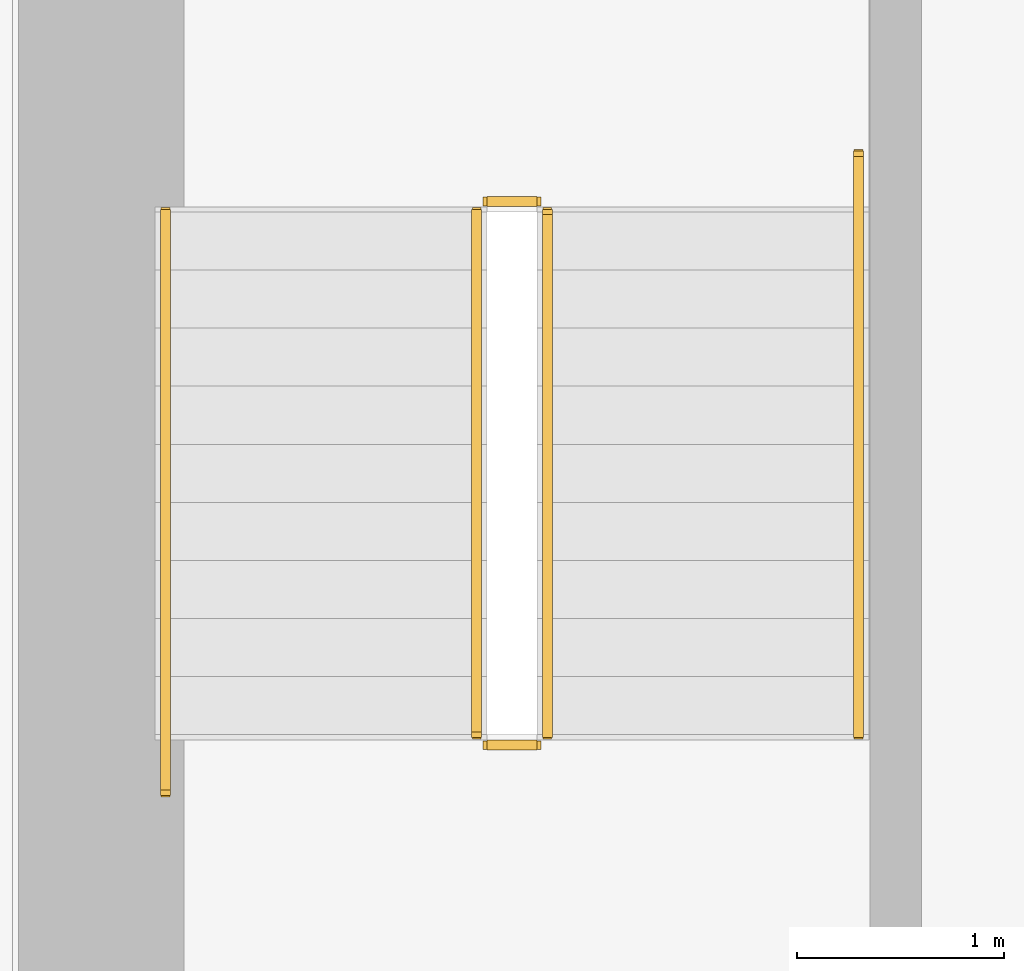
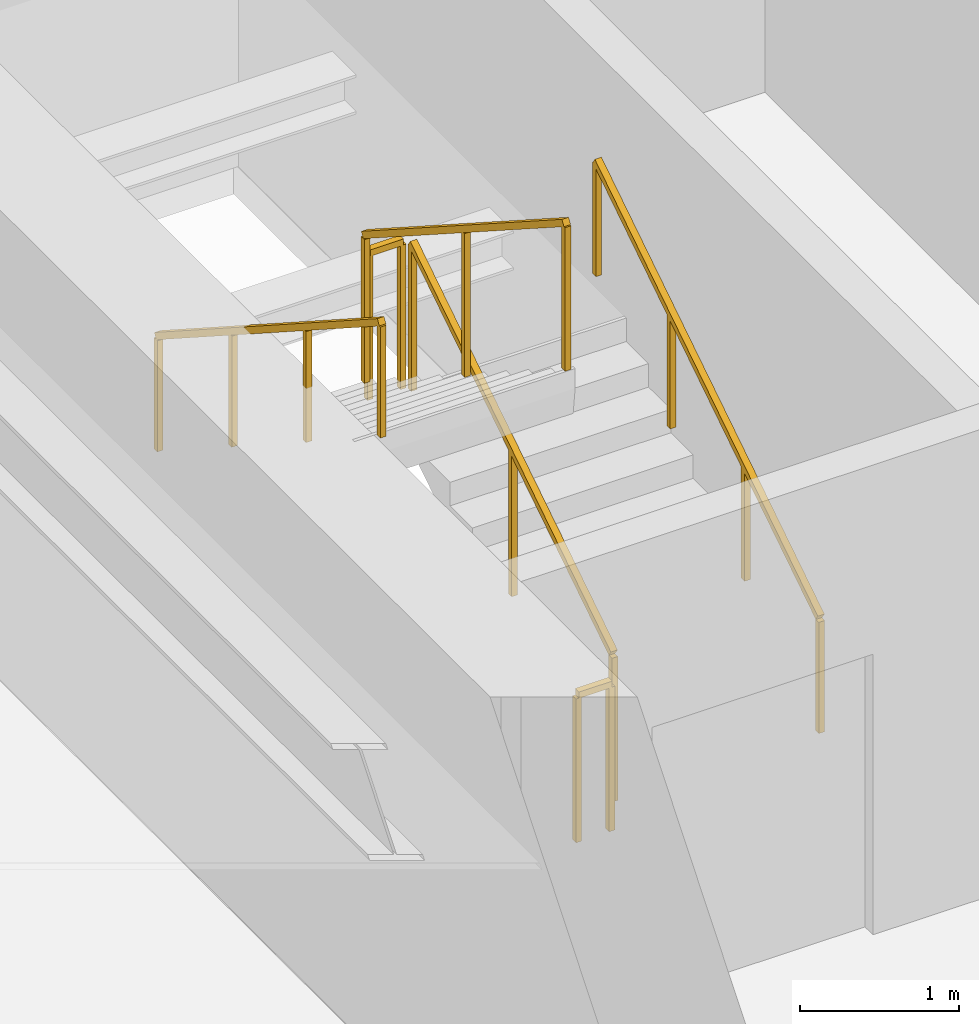
# One storey, part 30 of 33: 6 railings.
"""IFC4 building model written with IfcOpenShell, lengths in metres."""

import ifcopenshell
import ifcopenshell.guid

model = None  # the IFC model being written
_history = None  # IfcOwnerHistory: only IFC2X3 demands one
_inside = {}  # id of a spatial element -> (the spatial element, [elements in it])
_under = {}  # id of a project, library or spatial element -> (it, [spatial elements below it])
_declared = {}  # id of a project -> (the project, [libraries it declares])
_typed = {}  # id of a type object -> (the type object, [elements of that type])
_made_of = {}  # id of a material, layer set ... -> (it, [elements and type objects made of it])


def new_model(schema):
    """Start an empty IFC model of exactly this schema.

    Asked for "IFC4X3", IfcOpenShell would pick the latest addendum, in which some entities
    have other attributes; the version numbers below select the first issue.
    IFC2X3 requires an IfcOwnerHistory on every rooted entity: one is made here for all.
    """
    global model, _history
    if schema == "IFC4X3":
        model = ifcopenshell.file(schema_version=(4, 3, 0, 0))
    else:
        model = ifcopenshell.file(schema=schema)
    _inside.clear()
    _under.clear()
    _declared.clear()
    _typed.clear()
    _made_of.clear()
    _history = None
    if model.schema == "IFC2X3":
        org = make("IfcOrganization", Name="unknown")
        user = make(
            "IfcPersonAndOrganization",
            ThePerson=make("IfcPerson", FamilyName="unknown"),
            TheOrganization=org,
        )
        app = make(
            "IfcApplication",
            ApplicationDeveloper=org,
            Version="unknown",
            ApplicationFullName="unknown",
            ApplicationIdentifier="unknown",
        )
        _history = make(
            "IfcOwnerHistory",
            OwningUser=user,
            OwningApplication=app,
            ChangeAction="ADDED",
            CreationDate=0,
        )
    return model


def make(cls, **values):
    """One entity of the class cls with the attributes given. An attribute that is None is left unset."""
    return model.create_entity(
        cls, **{name: value for name, value in values.items() if value is not None}
    )


def rooted(cls, **values):
    """An entity with a GlobalId (a new one), such as an element, a storey or a relation."""
    return make(cls, GlobalId=ifcopenshell.guid.new(), OwnerHistory=_history, **values)


def si_unit(unit_type, name, prefix=None):
    """IfcSIUnit, for example si_unit("LENGTHUNIT", "METRE", prefix="MILLI")."""
    return make("IfcSIUnit", UnitType=unit_type, Prefix=prefix, Name=name)


def assignment(units):
    """IfcUnitAssignment: the units of a project."""
    return None if units is None else make("IfcUnitAssignment", Units=units)


def point(xyz):
    """IfcCartesianPoint."""
    return None if xyz is None else make("IfcCartesianPoint", Coordinates=xyz)


def direction(xyz):
    """IfcDirection."""
    return None if xyz is None else make("IfcDirection", DirectionRatios=xyz)


def frame(location, z_axis=None, x_axis=None):
    """IfcAxis2Placement3D, a coordinate frame: its origin and axes. An axis left out is left unset."""
    return make(
        "IfcAxis2Placement3D",
        Location=point(location),
        Axis=direction(z_axis),
        RefDirection=direction(x_axis),
    )


def frame_2d(location, x_axis=None):
    """IfcAxis2Placement2D, a coordinate frame in the plane: its origin and x axis."""
    return make(
        "IfcAxis2Placement2D", Location=point(location), RefDirection=direction(x_axis)
    )


def origin():
    """The frame at (0, 0, 0) with its axes left unset."""
    return frame((0.0, 0.0, 0.0))


def origin_2d():
    """The frame at (0, 0) in the plane with its x axis left unset."""
    return frame_2d((0.0, 0.0))


def place(relative_to, where):
    """IfcLocalPlacement: puts the frame where relative to a parent placement (None: the world)."""
    return make(
        "IfcLocalPlacement", PlacementRelTo=relative_to, RelativePlacement=where
    )


def context(
    kind, dimensions, precision=None, world=None, true_north=None, identifier=None
):
    """IfcGeometricRepresentationContext, for example the 3D "Model" context."""
    return make(
        "IfcGeometricRepresentationContext",
        ContextIdentifier=identifier,
        ContextType=kind,
        CoordinateSpaceDimension=dimensions,
        Precision=precision,
        WorldCoordinateSystem=world,
        TrueNorth=true_north,
    )


def subcontext(parent, identifier, kind, view, scale=None):
    """IfcGeometricRepresentationSubContext, for example "Body" below "Model"."""
    return make(
        "IfcGeometricRepresentationSubContext",
        ContextIdentifier=identifier,
        ContextType=kind,
        ParentContext=parent,
        TargetScale=scale,
        TargetView=view,
    )


def project(units=None, contexts=None):
    """IfcProject with its units and contexts."""
    return rooted(
        "IfcProject",
        Name="project",
        RepresentationContexts=contexts,
        UnitsInContext=assignment(units),
    )


def spatial(cls, under=None, at=None, **own):
    """A site, building, storey or space (cls), placed at a placement, below another one or the project."""
    s = rooted(cls, ObjectPlacement=at, **own)
    if under is not None:
        _under.setdefault(under.id(), (under, []))[1].append(s)
    return s


def profile(cls, at=None, kind="AREA", **sizes):
    """A parametric profile (cls). Its sizes go by their IFC names, for example OverallWidth=200.0."""
    return make(cls, ProfileType=kind, Position=at, **sizes)


def rectangle(**sizes):
    """IfcRectangleProfileDef."""
    return profile("IfcRectangleProfileDef", **sizes)


def extrude(swept, where, along, depth):
    """IfcExtrudedAreaSolid: the profile swept, set in the frame where, extruded along a direction by depth."""
    return make(
        "IfcExtrudedAreaSolid",
        SweptArea=swept,
        Position=where,
        ExtrudedDirection=direction(along),
        Depth=depth,
    )


def shape(context_of_items, identifier, shape_type, items):
    """IfcShapeRepresentation: the items that make up one representation, for example the "Body"."""
    return make(
        "IfcShapeRepresentation",
        ContextOfItems=context_of_items,
        RepresentationIdentifier=identifier,
        RepresentationType=shape_type,
        Items=items,
    )


def material(Name=None, Category=None):
    """IfcMaterial."""
    return make("IfcMaterial", Name=Name, Category=Category)


def made_of(thing, what):
    """Note that an element or type object is made of a material, layer set ...; save() writes the relation."""
    if what is not None:
        _made_of.setdefault(what.id(), (what, []))[1].append(thing)
    return thing


def type_object(cls, material=None, **own):
    """A type object (cls), such as IfcWallType, which elements share."""
    return made_of(rooted(cls, **own), material)


def element(
    cls,
    number,
    at=None,
    inside=None,
    cuts=None,
    type_object=None,
    material=None,
    context=None,
    identifier="Body",
    shape_type=None,
    held_by="IfcProductDefinitionShape",
    body=None,
    shapes=None,
    **own,
):
    """One element of the class cls, such as IfcWall. Its Tag is "e" and its number.

    at: its placement. inside: the storey or other place that contains it. cuts: it is an
    opening in that element (IfcRelVoidsElement). A single representation is given by context,
    identifier, shape_type and body (its items); several are given by shapes. held_by: the class
    of the entity that holds the representations. save() writes the other relations.
    """
    e = rooted(cls, Tag="e%d" % number, ObjectPlacement=at, **own)
    if body is not None:
        shapes = [shape(context, identifier, shape_type, body)]
    if shapes is not None:
        e.Representation = make(held_by, Representations=shapes)
    if inside is not None:
        _inside.setdefault(inside.id(), (inside, []))[1].append(e)
    if cuts is not None:
        rooted(
            "IfcRelVoidsElement", RelatingBuildingElement=cuts, RelatedOpeningElement=e
        )
    if type_object is not None:
        _typed.setdefault(type_object.id(), (type_object, []))[1].append(e)
    return made_of(e, material)


def aggregate(whole, parts):
    """IfcRelAggregates: a whole, such as a stair, and the parts it consists of."""
    return rooted("IfcRelAggregates", RelatingObject=whole, RelatedObjects=parts)


def save(model, path):
    """Write the relations noted so far, then the file.

    IfcRelAggregates (storeys below a building ...), IfcRelContainedInSpatialStructure (elements
    in a storey), IfcRelDefinesByType, IfcRelAssociatesMaterial and IfcRelDeclares: one each for
    every whole, place, type object, material and project.
    """
    for whole, parts in _under.values():
        aggregate(whole, parts)
    for where, things in _inside.values():
        rooted(
            "IfcRelContainedInSpatialStructure",
            RelatedElements=things,
            RelatingStructure=where,
        )
    for kind, things in _typed.values():
        rooted("IfcRelDefinesByType", RelatedObjects=things, RelatingType=kind)
    for what, things in _made_of.values():
        rooted("IfcRelAssociatesMaterial", RelatedObjects=things, RelatingMaterial=what)
    for by, libraries in _declared.values():
        rooted("IfcRelDeclares", RelatingContext=by, RelatedDefinitions=libraries)
    model.write(path)


model = new_model("IFC4")

# Units and contexts
model_context = context("Model", 3, precision=1e-05, world=origin(), true_north=direction((0.0, 1.0)))
body_context = subcontext(model_context, "Body", "Model", "MODEL_VIEW")
ifc_project = project(units=[si_unit("LENGTHUNIT", "METRE"), si_unit("AREAUNIT", "SQUARE_METRE"), si_unit("VOLUMEUNIT", "CUBIC_METRE"), si_unit("PLANEANGLEUNIT", "RADIAN"), si_unit("MASSUNIT", "GRAM", prefix="KILO")], contexts=[model_context])

# Site, building, storey
site_placement = place(None, origin())
site = spatial("IfcSite", under=ifc_project, at=site_placement, CompositionType="ELEMENT")
building_placement = place(site_placement, origin())
building = spatial("IfcBuilding", under=site, at=building_placement, Name="Sumidabori Civic Tower", CompositionType="ELEMENT")
storey_placement = place(building_placement, frame((0.0, 0.0, 63.199951171875)))
storey = spatial("IfcBuildingStorey", under=building, at=storey_placement, Name="L16", CompositionType="ELEMENT", Elevation=63.199951171875)

# Railings
ifc_material_1 = material(Name="Stainless Steel Hairline Finish", Category="steel")
railing_type_1 = type_object("IfcRailingType", Name="RL-HANDRAIL", PredefinedType="HANDRAIL", material=ifc_material_1)
railing_1_placement = place(storey_placement, frame((-11.949951171875, 16.0, 0.179931640625)))
element("IfcRailing", 1, at=railing_1_placement, inside=storey, type_object=railing_type_1, Name="L16 ST-1 stair handrail 1", PredefinedType="HANDRAIL", context=body_context, shape_type="SweptSolid", body=[
    extrude(rectangle(XDim=0.048095703125, YDim=0.048095703125, at=origin_2d()), frame((0.0, 0.0, 0.8759765625), z_axis=(0.0, 0.84064222762, 0.54159084662), x_axis=(-1.0, 0.0, 0.0)), (0.0, 0.0, 1.0), 3.330810546875),
    extrude(rectangle(XDim=0.0419921875, YDim=0.0419921875, at=origin_2d()), origin(), (0.0, 0.0, 1.0), 0.851806640625),
    extrude(rectangle(XDim=0.0419921875, YDim=0.0419921875, at=origin_2d()), frame((0.0, 0.933349609375, 0.601318359375)), (0.0, 0.0, 1.0), 0.851806640625),
    extrude(rectangle(XDim=0.0419921875, YDim=0.0419921875, at=origin_2d()), frame((0.0, 1.86669921875, 1.20263671875)), (0.0, 0.0, 1.0), 0.851806640625),
    extrude(rectangle(XDim=0.0419921875, YDim=0.0419921875, at=origin_2d()), frame((0.0, 2.800048828125, 1.803955078125)), (0.0, 0.0, 1.0), 0.851806640625),
])
railing_2_placement = place(storey_placement, frame((-15.2900390625, 18.52001953125, 1.97998046875)))
element("IfcRailing", 2, at=railing_2_placement, inside=storey, type_object=railing_type_1, Name="L16 ST-1 stair handrail 2", PredefinedType="HANDRAIL", context=body_context, shape_type="SweptSolid", body=[
    extrude(rectangle(XDim=0.048095703125, YDim=0.048095703125, at=origin_2d()), frame((0.0, 0.0, 0.8759765625), z_axis=(0.0, -0.84064222762, 0.54159084662), x_axis=(1.0, 0.0, 0.0)), (0.0, 0.0, 1.0), 3.330810546875),
    extrude(rectangle(XDim=0.0419921875, YDim=0.0419921875, at=origin_2d()), origin(), (0.0, 0.0, 1.0), 0.851806640625),
    extrude(rectangle(XDim=0.0419921875, YDim=0.0419921875, at=origin_2d()), frame((0.0, -0.933349609375, 0.601318359375)), (0.0, 0.0, 1.0), 0.851806640625),
    extrude(rectangle(XDim=0.0419921875, YDim=0.0419921875, at=origin_2d()), frame((0.0, -1.86669921875, 1.20263671875)), (0.0, 0.0, 1.0), 0.851806640625),
    extrude(rectangle(XDim=0.0419921875, YDim=0.0419921875, at=origin_2d()), frame((0.0, -2.800048828125, 1.803955078125)), (0.0, 0.0, 1.0), 0.851806640625),
])
ifc_material_2 = material(Name="Steel SN490", Category="steel")
railing_type_2 = type_object("IfcRailingType", Name="RL-STAIR-GUARD", PredefinedType="GUARDRAIL", material=ifc_material_2)
railing_3_placement = place(storey_placement, frame((-13.449951171875, 16.0, 0.179931640625)))
element("IfcRailing", 3, at=railing_3_placement, inside=storey, type_object=railing_type_2, Name="L16 ST-1 stair guard 1", PredefinedType="GUARDRAIL", context=body_context, shape_type="SweptSolid", body=[
    extrude(rectangle(XDim=0.048095703125, YDim=0.048095703125, at=origin_2d()), frame((0.0, 0.0, 1.1259765625), z_axis=(0.0, 0.841162588446, 0.540782303519), x_axis=(-1.0, 0.0, 0.0)), (0.0, 0.0, 1.0), 2.995849609375),
    extrude(rectangle(XDim=0.0419921875, YDim=0.0419921875, at=origin_2d()), origin(), (0.0, 0.0, 1.0), 1.101806640625),
    extrude(rectangle(XDim=0.0419921875, YDim=0.0419921875, at=origin_2d()), frame((0.0, 1.260009765625, 0.81005859375)), (0.0, 0.0, 1.0), 1.101806640625),
    extrude(rectangle(XDim=0.0419921875, YDim=0.0419921875, at=origin_2d()), frame((0.0, 2.52001953125, 1.6201171875)), (0.0, 0.0, 1.0), 1.101806640625),
])
railing_4_placement = place(storey_placement, frame((-13.5, 18.570068359375, 1.800048828125)))
element("IfcRailing", 4, at=railing_4_placement, inside=storey, type_object=railing_type_2, Name="L16 ST-1 stair guard 2", PredefinedType="GUARDRAIL", context=body_context, shape_type="SweptSolid", body=[
    extrude(rectangle(XDim=0.048095703125, YDim=0.048095703125, at=origin_2d()), frame((0.0, 0.0, 1.1259765625), z_axis=(-1.0, 0.0, 0.0), x_axis=(0.0, -1.0, 0.0)), (0.0, 0.0, 1.0), 0.239990234375),
    extrude(rectangle(XDim=0.0419921875, YDim=0.0419921875, at=origin_2d()), origin(), (0.0, 0.0, 1.0), 1.101806640625),
    extrude(rectangle(XDim=0.0419921875, YDim=0.0419921875, at=origin_2d()), frame((-0.239990234375, 0.0, 0.0)), (0.0, 0.0, 1.0), 1.101806640625),
])
railing_5_placement = place(storey_placement, frame((-13.7900390625, 18.52001953125, 1.97998046875)))
element("IfcRailing", 5, at=railing_5_placement, inside=storey, type_object=railing_type_2, Name="L16 ST-1 stair guard 3", PredefinedType="GUARDRAIL", context=body_context, shape_type="SweptSolid", body=[
    extrude(rectangle(XDim=0.048095703125, YDim=0.048095703125, at=origin_2d()), frame((0.0, 0.0, 1.1259765625), z_axis=(0.0, -0.841162588446, 0.540782303519), x_axis=(1.0, 0.0, 0.0)), (0.0, 0.0, 1.0), 2.995849609375),
    extrude(rectangle(XDim=0.0419921875, YDim=0.0419921875, at=origin_2d()), origin(), (0.0, 0.0, 1.0), 1.101806640625),
    extrude(rectangle(XDim=0.0419921875, YDim=0.0419921875, at=origin_2d()), frame((0.0, -1.260009765625, 0.81005859375)), (0.0, 0.0, 1.0), 1.101806640625),
    extrude(rectangle(XDim=0.0419921875, YDim=0.0419921875, at=origin_2d()), frame((0.0, -2.52001953125, 1.6201171875)), (0.0, 0.0, 1.0), 1.101806640625),
])
railing_6_placement = place(storey_placement, frame((-13.5, 15.949951171875, 0.0)))
element("IfcRailing", 6, at=railing_6_placement, inside=storey, type_object=railing_type_2, Name="L16 ST-1 stair guard 4", PredefinedType="GUARDRAIL", context=body_context, shape_type="SweptSolid", body=[
    extrude(rectangle(XDim=0.048095703125, YDim=0.048095703125, at=origin_2d()), frame((0.0, 0.0, 1.1259765625), z_axis=(-1.0, 0.0, 0.0), x_axis=(0.0, -1.0, 0.0)), (0.0, 0.0, 1.0), 0.239990234375),
    extrude(rectangle(XDim=0.0419921875, YDim=0.0419921875, at=origin_2d()), origin(), (0.0, 0.0, 1.0), 1.101806640625),
    extrude(rectangle(XDim=0.0419921875, YDim=0.0419921875, at=origin_2d()), frame((-0.239990234375, 0.0, 0.0)), (0.0, 0.0, 1.0), 1.101806640625),
])

save(model, "model.ifc")
